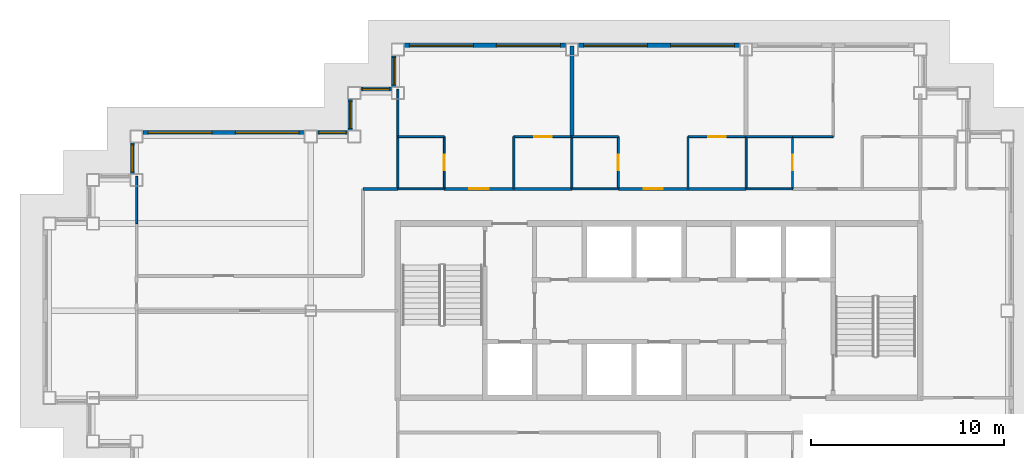
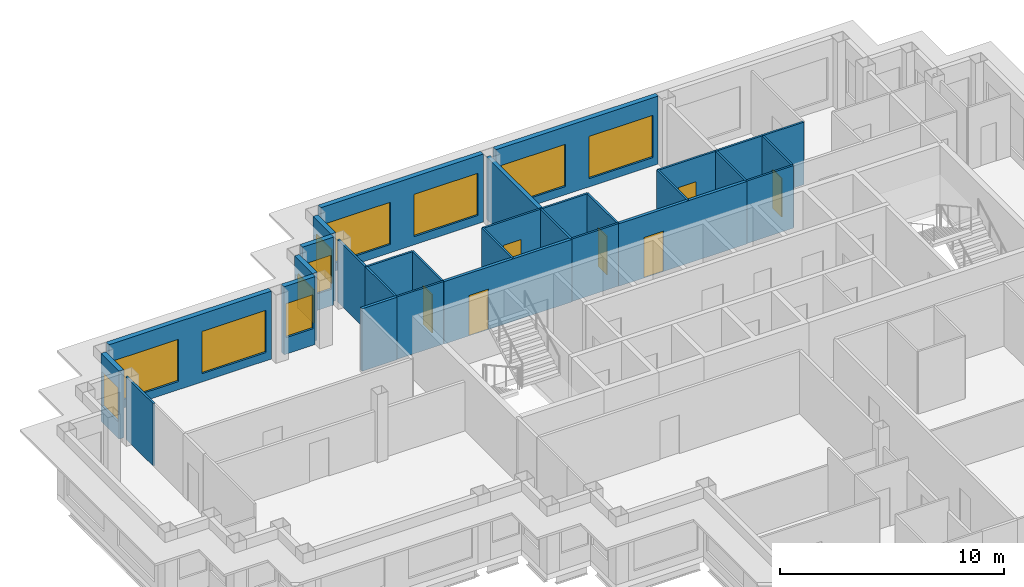
# One storey, part 6 of 11: 31 walls, 11 windows, 7 doors, 18 openings.
"""IFC4 building model written with IfcOpenShell, lengths in metres."""

from ifc_helpers import new_model, si_unit, direction, frame, frame_2d, origin, place, context, subcontext, project, spatial, rectangle, extrude, material, layer, layer_set, type_object, element, fill, save


model = new_model("IFC4")

# Units and contexts
model_context = context("Model", 3, precision=1e-05, world=origin(), true_north=direction((0.0, 1.0)))
body_context = subcontext(model_context, "Body", "Model", "MODEL_VIEW")
ifc_project = project(units=[si_unit("LENGTHUNIT", "METRE"), si_unit("AREAUNIT", "SQUARE_METRE"), si_unit("VOLUMEUNIT", "CUBIC_METRE"), si_unit("PLANEANGLEUNIT", "RADIAN"), si_unit("MASSUNIT", "GRAM", prefix="KILO")], contexts=[model_context])

# Site, building, storey
site_placement = place(None, origin())
site = spatial("IfcSite", under=ifc_project, at=site_placement, CompositionType="ELEMENT")
building_placement = place(site_placement, origin())
building = spatial("IfcBuilding", under=site, at=building_placement, Name="Caravel Reach Hotel and Residences", CompositionType="ELEMENT")
storey_placement = place(building_placement, frame((0.0, 0.0, 225.699951171875)))
storey = spatial("IfcBuildingStorey", under=building, at=storey_placement, Name="L57", CompositionType="ELEMENT", Elevation=225.699951171875)

# Walls
ifc_material_1 = material(Name="Gypsum board on steel stud", Category="steel")
ifc_layer_1 = layer(ifc_material_1, 0.10009765625)
ifc_layer_set_1 = layer_set([ifc_layer_1], Name="Bathroom pod wall 100 mm")
wall_type_1 = type_object("IfcWallType", Name="Bathroom pod wall 100 mm", PredefinedType="PARTITIONING", material=ifc_layer_set_1)
for number, where, z_axis, x_axis, name in (
    (1, (18.0, 33.300048828125, 0.0), (0.0, 0.0, 1.0), (1.0, 0.0, 0.0), "L57 wall w066"),
    (2, (27.0, 33.300048828125, 0.0), (0.0, 0.0, 1.0), (1.0, 0.0, 0.0), "L57 wall w067"),
    (3, (36.0, 33.300048828125, 0.0), (0.0, 0.0, 1.0), (1.0, 0.0, 0.0), "L57 wall w068"),
    (4, (18.0, 36.0, 0.0), (0.0, 0.0, 1.0), (1.0, 0.0, 0.0), "L57 wall w070"),
    (5, (27.0, 36.0, 0.0), (0.0, 0.0, 1.0), (1.0, 0.0, 0.0), "L57 wall w071"),
    (6, (36.0, 36.0, 0.0), (0.0, 0.0, 1.0), (1.0, 0.0, 0.0), "L57 wall w072"),
):
    element("IfcWall", number, at=place(storey_placement, frame(where, z_axis=z_axis, x_axis=x_axis)), inside=storey, type_object=wall_type_1, Name=name, PredefinedType="PARTITIONING", context=body_context, shape_type="SweptSolid", body=[
        extrude(rectangle(XDim=2.39990234375, YDim=0.10009765625, at=frame_2d((1.199951171875, 0.0))), origin(), (0.0, 0.0, 1.0), 3.400146484375),
    ])
wall_1_placement = place(storey_placement, frame((18.0, 33.301025390625, 0.0), z_axis=(0.0, 0.0, 1.0), x_axis=(0.0, 1.0, 0.0)))
element("IfcWall", 7, at=wall_1_placement, inside=storey, type_object=wall_type_1, Name="L57 wall w073", PredefinedType="PARTITIONING", context=body_context, shape_type="SweptSolid", body=[
    extrude(rectangle(XDim=2.698974609375, YDim=0.10009765625, at=frame_2d((1.349609375, 0.0))), origin(), (0.0, 0.0, 1.0), 3.400146484375),
])

# Wall, opening, door
wall_2_placement = place(storey_placement, frame((20.39990234375, 33.300048828125, 0.0), z_axis=(0.0, 0.0, 1.0), x_axis=(0.0, 1.0, 0.0)))
wall_2 = element("IfcWall", 8, at=wall_2_placement, inside=storey, type_object=wall_type_1, Name="L57 wall w074", PredefinedType="PARTITIONING", context=body_context, shape_type="SweptSolid", body=[
    extrude(rectangle(XDim=2.699951171875, YDim=0.10009765625, at=frame_2d((1.35009765625, 0.0))), origin(), (0.0, 0.0, 1.0), 3.400146484375),
])
opening_1_placement = place(wall_2_placement, frame((0.949951171875, 0.0, 0.0)))
opening_1 = element("IfcOpeningElement", 9, at=opening_1_placement, cuts=wall_2, Name="Opening D57-018", PredefinedType="OPENING", context=body_context, shape_type="SweptSolid", body=[
    extrude(rectangle(XDim=0.800048828125, YDim=2.10009765625, at=frame_2d((0.39990234375, 1.050048828125))), frame((0.0, 0.06005859375, 0.0), z_axis=(0.0, -1.0, 0.0), x_axis=(1.0, 0.0, 0.0)), (0.0, 0.0, 1.0), 0.1201171875),
])
ifc_material_2 = material(Name="Timber and steel door leaf", Category="steel")
door_type_1 = type_object("IfcDoorType", Name="Bathroom door 800 x 2100", OperationType="SINGLE_SWING_LEFT", PredefinedType="DOOR", material=ifc_material_2)
door_1_placement = place(opening_1_placement, origin())
door_1 = element("IfcDoor", 10, at=door_1_placement, inside=storey, type_object=door_type_1, Name="door D57-018", OperationType="SINGLE_SWING_RIGHT", OverallHeight=2.10009765625, OverallWidth=0.800048828125, PredefinedType="DOOR", context=body_context, shape_type="SweptSolid", body=[
    extrude(rectangle(XDim=0.800048828125, YDim=2.10009765625, at=frame_2d((0.39990234375, 1.050048828125))), frame((0.0, 0.02490234375, 0.0), z_axis=(0.0, -1.0, 0.0), x_axis=(1.0, 0.0, 0.0)), (0.0, 0.0, 1.0), 0.050048828125),
])
fill(opening_1, door_1)

# Wall
wall_3_placement = place(storey_placement, frame((27.0, 33.300048828125, 0.0), z_axis=(0.0, 0.0, 1.0), x_axis=(0.0, 1.0, 0.0)))
element("IfcWall", 11, at=wall_3_placement, inside=storey, type_object=wall_type_1, Name="L57 wall w075", PredefinedType="PARTITIONING", context=body_context, shape_type="SweptSolid", body=[
    extrude(rectangle(XDim=2.699951171875, YDim=0.10009765625, at=frame_2d((1.35009765625, 0.0))), origin(), (0.0, 0.0, 1.0), 3.400146484375),
])

# Wall, opening, door
wall_4_placement = place(storey_placement, frame((29.39990234375, 33.300048828125, 0.0), z_axis=(0.0, 0.0, 1.0), x_axis=(0.0, 1.0, 0.0)))
wall_4 = element("IfcWall", 12, at=wall_4_placement, inside=storey, type_object=wall_type_1, Name="L57 wall w077", PredefinedType="PARTITIONING", context=body_context, shape_type="SweptSolid", body=[
    extrude(rectangle(XDim=2.699951171875, YDim=0.10009765625, at=frame_2d((1.35009765625, 0.0))), origin(), (0.0, 0.0, 1.0), 3.400146484375),
])
opening_2_placement = place(wall_4_placement, frame((0.949951171875, 0.0, 0.0)))
opening_2 = element("IfcOpeningElement", 13, at=opening_2_placement, cuts=wall_4, Name="Opening D57-021", PredefinedType="OPENING", context=body_context, shape_type="SweptSolid", body=[
    extrude(rectangle(XDim=0.800048828125, YDim=2.10009765625, at=frame_2d((0.39990234375, 1.050048828125))), frame((0.0, 0.06005859375, 0.0), z_axis=(0.0, -1.0, 0.0), x_axis=(1.0, 0.0, 0.0)), (0.0, 0.0, 1.0), 0.1201171875),
])
door_2_placement = place(opening_2_placement, origin())
door_2 = element("IfcDoor", 14, at=door_2_placement, inside=storey, type_object=door_type_1, Name="door D57-021", OperationType="SINGLE_SWING_LEFT", OverallHeight=2.10009765625, OverallWidth=0.800048828125, PredefinedType="DOOR", context=body_context, shape_type="SweptSolid", body=[
    extrude(rectangle(XDim=0.800048828125, YDim=2.10009765625, at=frame_2d((0.39990234375, 1.050048828125))), frame((0.0, 0.02490234375, 0.0), z_axis=(0.0, -1.0, 0.0), x_axis=(1.0, 0.0, 0.0)), (0.0, 0.0, 1.0), 0.050048828125),
])
fill(opening_2, door_2)

# Wall
wall_5_placement = place(storey_placement, frame((36.0, 33.300048828125, 0.0), z_axis=(0.0, 0.0, 1.0), x_axis=(0.0, 1.0, 0.0)))
element("IfcWall", 15, at=wall_5_placement, inside=storey, type_object=wall_type_1, Name="L57 wall w079", PredefinedType="PARTITIONING", context=body_context, shape_type="SweptSolid", body=[
    extrude(rectangle(XDim=2.699951171875, YDim=0.10009765625, at=frame_2d((1.35009765625, 0.0))), origin(), (0.0, 0.0, 1.0), 3.400146484375),
])

# Wall, opening, door
wall_6_placement = place(storey_placement, frame((38.39990234375, 33.300048828125, 0.0), z_axis=(0.0, 0.0, 1.0), x_axis=(0.0, 1.0, 0.0)))
wall_6 = element("IfcWall", 16, at=wall_6_placement, inside=storey, type_object=wall_type_1, Name="L57 wall w081", PredefinedType="PARTITIONING", context=body_context, shape_type="SweptSolid", body=[
    extrude(rectangle(XDim=2.699951171875, YDim=0.10009765625, at=frame_2d((1.35009765625, 0.0))), origin(), (0.0, 0.0, 1.0), 3.400146484375),
])
opening_3_placement = place(wall_6_placement, frame((0.949951171875, 0.0, 0.0)))
opening_3 = element("IfcOpeningElement", 17, at=opening_3_placement, cuts=wall_6, Name="Opening D57-024", PredefinedType="OPENING", context=body_context, shape_type="SweptSolid", body=[
    extrude(rectangle(XDim=0.800048828125, YDim=2.10009765625, at=frame_2d((0.39990234375, 1.050048828125))), frame((0.0, 0.06005859375, 0.0), z_axis=(0.0, -1.0, 0.0), x_axis=(1.0, 0.0, 0.0)), (0.0, 0.0, 1.0), 0.1201171875),
])
door_3_placement = place(opening_3_placement, origin())
door_3 = element("IfcDoor", 18, at=door_3_placement, inside=storey, type_object=door_type_1, Name="door D57-024", OperationType="SINGLE_SWING_LEFT", OverallHeight=2.10009765625, OverallWidth=0.800048828125, PredefinedType="DOOR", context=body_context, shape_type="SweptSolid", body=[
    extrude(rectangle(XDim=0.800048828125, YDim=2.10009765625, at=frame_2d((0.39990234375, 1.050048828125))), frame((0.0, 0.02490234375, 0.0), z_axis=(0.0, -1.0, 0.0), x_axis=(1.0, 0.0, 0.0)), (0.0, 0.0, 1.0), 0.050048828125),
])
fill(opening_3, door_3)

ifc_material_3 = material(Name="Gypsum board on steel stud, fire-rated", Category="steel")
ifc_layer_2 = layer(ifc_material_3, 0.14990234375)
ifc_layer_set_2 = layer_set([ifc_layer_2], Name="Corridor wall 150 mm EI 60")
wall_type_2 = type_object("IfcWallType", Name="Corridor wall 150 mm EI 60", PredefinedType="PARTITIONING", material=ifc_layer_set_2)
wall_7_placement = place(storey_placement, frame((20.39990234375, 33.300048828125, 0.0), z_axis=(0.0, 0.0, 1.0), x_axis=(1.0, 0.0, 0.0)))
wall_7 = element("IfcWall", 19, at=wall_7_placement, inside=storey, type_object=wall_type_2, Name="L57 wall w010", PredefinedType="PARTITIONING", context=body_context, shape_type="SweptSolid", body=[
    extrude(rectangle(XDim=6.60009765625, YDim=0.14990234375, at=frame_2d((3.300048828125, 0.0))), origin(), (0.0, 0.0, 1.0), 3.400146484375),
])
opening_4_placement = place(wall_7_placement, frame((1.300048828125, 0.0, 0.0)))
opening_4 = element("IfcOpeningElement", 20, at=opening_4_placement, cuts=wall_7, Name="Opening D57-017", PredefinedType="OPENING", context=body_context, shape_type="SweptSolid", body=[
    extrude(rectangle(XDim=1.0, YDim=2.199951171875, at=frame_2d((0.5, 1.10009765625))), frame((0.0, 0.0849609375, 0.0), z_axis=(0.0, -1.0, 0.0), x_axis=(1.0, 0.0, 0.0)), (0.0, 0.0, 1.0), 0.169921875),
])
ifc_material_4 = material(Name="Steel fire door leaf", Category="steel")
door_type_2 = type_object("IfcDoorType", Name="Flat entrance door 1000 x 2200 EI 60", OperationType="SINGLE_SWING_LEFT", PredefinedType="DOOR", material=ifc_material_4)
door_4_placement = place(opening_4_placement, origin())
door_4 = element("IfcDoor", 21, at=door_4_placement, inside=storey, type_object=door_type_2, Name="door D57-017", OperationType="SINGLE_SWING_RIGHT", OverallHeight=2.199951171875, OverallWidth=1.0, PredefinedType="DOOR", context=body_context, shape_type="SweptSolid", body=[
    extrude(rectangle(XDim=1.0, YDim=2.199951171875, at=frame_2d((0.5, 1.10009765625))), frame((0.0, 0.02490234375, 0.0), z_axis=(0.0, -1.0, 0.0), x_axis=(1.0, 0.0, 0.0)), (0.0, 0.0, 1.0), 0.050048828125),
])
fill(opening_4, door_4)

wall_8_placement = place(storey_placement, frame((29.39990234375, 33.300048828125, 0.0), z_axis=(0.0, 0.0, 1.0), x_axis=(1.0, 0.0, 0.0)))
wall_8 = element("IfcWall", 22, at=wall_8_placement, inside=storey, type_object=wall_type_2, Name="L57 wall w012", PredefinedType="PARTITIONING", context=body_context, shape_type="SweptSolid", body=[
    extrude(rectangle(XDim=6.60009765625, YDim=0.14990234375, at=frame_2d((3.300048828125, 0.0))), origin(), (0.0, 0.0, 1.0), 3.400146484375),
])
opening_5_placement = place(wall_8_placement, frame((1.300048828125, 0.0, 0.0)))
opening_5 = element("IfcOpeningElement", 23, at=opening_5_placement, cuts=wall_8, Name="Opening D57-020", PredefinedType="OPENING", context=body_context, shape_type="SweptSolid", body=[
    extrude(rectangle(XDim=1.0, YDim=2.199951171875, at=frame_2d((0.5, 1.10009765625))), frame((0.0, 0.0849609375, 0.0), z_axis=(0.0, -1.0, 0.0), x_axis=(1.0, 0.0, 0.0)), (0.0, 0.0, 1.0), 0.169921875),
])
door_5_placement = place(opening_5_placement, origin())
door_5 = element("IfcDoor", 24, at=door_5_placement, inside=storey, type_object=door_type_2, Name="door D57-020", OperationType="SINGLE_SWING_RIGHT", OverallHeight=2.199951171875, OverallWidth=1.0, PredefinedType="DOOR", context=body_context, shape_type="SweptSolid", body=[
    extrude(rectangle(XDim=1.0, YDim=2.199951171875, at=frame_2d((0.5, 1.10009765625))), frame((0.0, 0.02490234375, 0.0), z_axis=(0.0, -1.0, 0.0), x_axis=(1.0, 0.0, 0.0)), (0.0, 0.0, 1.0), 0.050048828125),
])
fill(opening_5, door_5)

# Wall
wall_9_placement = place(storey_placement, frame((16.199951171875, 33.300048828125, 0.0), z_axis=(0.0, 0.0, 1.0), x_axis=(1.0, 0.0, 0.0)))
element("IfcWall", 25, at=wall_9_placement, inside=storey, type_object=wall_type_2, Name="L57 wall w016", PredefinedType="PARTITIONING", context=body_context, shape_type="SweptSolid", body=[
    extrude(rectangle(XDim=1.799072265625, YDim=0.14990234375, at=frame_2d((0.8994140625, 0.0))), origin(), (0.0, 0.0, 1.0), 3.400146484375),
])

# Wall, openings, windows
ifc_material_5 = material(Name="Insulated rainscreen wall, aluminium cladding", Category="aluminium")
ifc_layer_3 = layer(ifc_material_5, 0.25)
ifc_layer_set_3 = layer_set([ifc_layer_3], Name="EW1 Tower rainscreen wall")
wall_type_3 = type_object("IfcWallType", Name="EW1 Tower rainscreen wall", PredefinedType="SOLIDWALL", material=ifc_layer_set_3)
wall_10_placement = place(storey_placement, frame((35.675048828125, 40.699951171875, 0.0), z_axis=(0.0, 0.0, 1.0), x_axis=(-1.0, 0.0, 0.0)))
wall_10 = element("IfcWall", 26, at=wall_10_placement, inside=storey, type_object=wall_type_3, Name="External wall L57 N11.2", PredefinedType="SOLIDWALL", context=body_context, shape_type="SweptSolid", body=[
    extrude(rectangle(XDim=8.35009765625, YDim=0.25, at=frame_2d((4.175048828125, 0.0))), origin(), (0.0, 0.0, 1.0), 3.699951171875),
])
opening_6_placement = place(wall_10_placement, frame((0.27490234375, 0.0, 0.449951171875)))
opening_6 = element("IfcOpeningElement", 27, at=opening_6_placement, cuts=wall_10, Name="Opening WN15", PredefinedType="OPENING", context=body_context, shape_type="SweptSolid", body=[
    extrude(rectangle(XDim=3.300048828125, YDim=2.300048828125, at=frame_2d((1.64990234375, 1.14990234375))), frame((0.0, 0.135009765625, 0.0), z_axis=(0.0, -1.0, 0.0), x_axis=(1.0, 0.0, 0.0)), (0.0, 0.0, 1.0), 0.27001953125),
])
opening_7_placement = place(wall_10_placement, frame((4.77490234375, 0.0, 0.449951171875)))
opening_7 = element("IfcOpeningElement", 28, at=opening_7_placement, cuts=wall_10, Name="Opening WN15", PredefinedType="OPENING", context=body_context, shape_type="SweptSolid", body=[
    extrude(rectangle(XDim=3.300048828125, YDim=2.300048828125, at=frame_2d((1.64990234375, 1.14990234375))), frame((0.0, 0.135009765625, 0.0), z_axis=(0.0, -1.0, 0.0), x_axis=(1.0, 0.0, 0.0)), (0.0, 0.0, 1.0), 0.27001953125),
])
ifc_material_6 = material(Name="Dark low-e glazing in black aluminium frame", Category="aluminium")
window_type_1 = type_object("IfcWindowType", Name="Residence living window 3300 x 2300", PartitioningType="SINGLE_PANEL", PredefinedType="WINDOW", material=ifc_material_6)
window_1_placement = place(opening_6_placement, origin())
window_1 = element("IfcWindow", 29, at=window_1_placement, inside=storey, type_object=window_type_1, Name="Window L57 N11.2.1", OverallHeight=2.300048828125, OverallWidth=3.300048828125, PartitioningType="SINGLE_PANEL", PredefinedType="WINDOW", context=body_context, shape_type="SweptSolid", body=[
    extrude(rectangle(XDim=3.300048828125, YDim=2.300048828125, at=frame_2d((1.64990234375, 1.14990234375))), frame((0.0, 0.030029296875, 0.0), z_axis=(0.0, -1.0, 0.0), x_axis=(1.0, 0.0, 0.0)), (0.0, 0.0, 1.0), 0.06005859375),
])
fill(opening_6, window_1)
window_2_placement = place(opening_7_placement, origin())
window_2 = element("IfcWindow", 30, at=window_2_placement, inside=storey, type_object=window_type_1, Name="Window L57 N11.2.2", OverallHeight=2.300048828125, OverallWidth=3.300048828125, PartitioningType="SINGLE_PANEL", PredefinedType="WINDOW", context=body_context, shape_type="SweptSolid", body=[
    extrude(rectangle(XDim=3.300048828125, YDim=2.300048828125, at=frame_2d((1.64990234375, 1.14990234375))), frame((0.0, 0.030029296875, 0.0), z_axis=(0.0, -1.0, 0.0), x_axis=(1.0, 0.0, 0.0)), (0.0, 0.0, 1.0), 0.06005859375),
])
fill(opening_7, window_2)

wall_11_placement = place(storey_placement, frame((26.675048828125, 40.699951171875, 0.0), z_axis=(0.0, 0.0, 1.0), x_axis=(-1.0, 0.0, 0.0)))
wall_11 = element("IfcWall", 31, at=wall_11_placement, inside=storey, type_object=wall_type_3, Name="External wall L57 N11.3", PredefinedType="SOLIDWALL", context=body_context, shape_type="SweptSolid", body=[
    extrude(rectangle(XDim=8.35009765625, YDim=0.25, at=frame_2d((4.175048828125, 0.0))), origin(), (0.0, 0.0, 1.0), 3.699951171875),
])
opening_8_placement = place(wall_11_placement, frame((0.27490234375, 0.0, 0.449951171875)))
opening_8 = element("IfcOpeningElement", 32, at=opening_8_placement, cuts=wall_11, Name="Opening WN15", PredefinedType="OPENING", context=body_context, shape_type="SweptSolid", body=[
    extrude(rectangle(XDim=3.300048828125, YDim=2.300048828125, at=frame_2d((1.64990234375, 1.14990234375))), frame((0.0, 0.135009765625, 0.0), z_axis=(0.0, -1.0, 0.0), x_axis=(1.0, 0.0, 0.0)), (0.0, 0.0, 1.0), 0.27001953125),
])
opening_9_placement = place(wall_11_placement, frame((4.77490234375, 0.0, 0.449951171875)))
opening_9 = element("IfcOpeningElement", 33, at=opening_9_placement, cuts=wall_11, Name="Opening WN15", PredefinedType="OPENING", context=body_context, shape_type="SweptSolid", body=[
    extrude(rectangle(XDim=3.300048828125, YDim=2.300048828125, at=frame_2d((1.64990234375, 1.14990234375))), frame((0.0, 0.135009765625, 0.0), z_axis=(0.0, -1.0, 0.0), x_axis=(1.0, 0.0, 0.0)), (0.0, 0.0, 1.0), 0.27001953125),
])
window_3_placement = place(opening_8_placement, origin())
window_3 = element("IfcWindow", 34, at=window_3_placement, inside=storey, type_object=window_type_1, Name="Window L57 N11.3.1", OverallHeight=2.300048828125, OverallWidth=3.300048828125, PartitioningType="SINGLE_PANEL", PredefinedType="WINDOW", context=body_context, shape_type="SweptSolid", body=[
    extrude(rectangle(XDim=3.300048828125, YDim=2.300048828125, at=frame_2d((1.64990234375, 1.14990234375))), frame((0.0, 0.030029296875, 0.0), z_axis=(0.0, -1.0, 0.0), x_axis=(1.0, 0.0, 0.0)), (0.0, 0.0, 1.0), 0.06005859375),
])
fill(opening_8, window_3)
window_4_placement = place(opening_9_placement, origin())
window_4 = element("IfcWindow", 35, at=window_4_placement, inside=storey, type_object=window_type_1, Name="Window L57 N11.3.2", OverallHeight=2.300048828125, OverallWidth=3.300048828125, PartitioningType="SINGLE_PANEL", PredefinedType="WINDOW", context=body_context, shape_type="SweptSolid", body=[
    extrude(rectangle(XDim=3.300048828125, YDim=2.300048828125, at=frame_2d((1.64990234375, 1.14990234375))), frame((0.0, 0.030029296875, 0.0), z_axis=(0.0, -1.0, 0.0), x_axis=(1.0, 0.0, 0.0)), (0.0, 0.0, 1.0), 0.06005859375),
])
fill(opening_9, window_4)

# Wall, opening, window
wall_12_placement = place(storey_placement, frame((17.800048828125, 40.175048828125, 0.0), z_axis=(0.0, 0.0, 1.0), x_axis=(0.0, -1.0, 0.0)))
wall_12 = element("IfcWall", 36, at=wall_12_placement, inside=storey, type_object=wall_type_3, Name="External wall L57 W12.1", PredefinedType="SOLIDWALL", context=body_context, shape_type="SweptSolid", body=[
    extrude(rectangle(XDim=1.60009765625, YDim=0.25, at=frame_2d((0.800048828125, 0.0))), origin(), (0.0, 0.0, 1.0), 3.699951171875),
])
opening_10_placement = place(wall_12_placement, frame((0.10009765625, 0.0, 0.89990234375)))
opening_10 = element("IfcOpeningElement", 37, at=opening_10_placement, cuts=wall_12, Name="Opening WN22", PredefinedType="OPENING", context=body_context, shape_type="SweptSolid", body=[
    extrude(rectangle(XDim=1.39990234375, YDim=1.85009765625, at=frame_2d((0.699951171875, 0.925048828125))), frame((0.0, 0.135009765625, 0.0), z_axis=(0.0, -1.0, 0.0), x_axis=(1.0, 0.0, 0.0)), (0.0, 0.0, 1.0), 0.27001953125),
])
ifc_material_7 = material(Name="Dark low-e glazing in black aluminium frame", Category="aluminium")
window_type_2 = type_object("IfcWindowType", Name="Residence bedroom window 1400 x 1850", PartitioningType="SINGLE_PANEL", PredefinedType="WINDOW", material=ifc_material_7)
window_5_placement = place(opening_10_placement, origin())
window_5 = element("IfcWindow", 38, at=window_5_placement, inside=storey, type_object=window_type_2, Name="Window L57 W12.1.1", OverallHeight=1.85009765625, OverallWidth=1.39990234375, PartitioningType="SINGLE_PANEL", PredefinedType="WINDOW", context=body_context, shape_type="SweptSolid", body=[
    extrude(rectangle(XDim=1.39990234375, YDim=1.85009765625, at=frame_2d((0.699951171875, 0.925048828125))), frame((0.0, 0.030029296875, 0.0), z_axis=(0.0, -1.0, 0.0), x_axis=(1.0, 0.0, 0.0)), (0.0, 0.0, 1.0), 0.06005859375),
])
fill(opening_10, window_5)

wall_13_placement = place(storey_placement, frame((17.675048828125, 38.449951171875, 0.0), z_axis=(0.0, 0.0, 1.0), x_axis=(-1.0, 0.0, 0.0)))
wall_13 = element("IfcWall", 39, at=wall_13_placement, inside=storey, type_object=wall_type_3, Name="External wall L57 N13.1", PredefinedType="SOLIDWALL", context=body_context, shape_type="SweptSolid", body=[
    extrude(rectangle(XDim=1.60009765625, YDim=0.25, at=frame_2d((0.800048828125, 0.0))), origin(), (0.0, 0.0, 1.0), 3.699951171875),
])
opening_11_placement = place(wall_13_placement, frame((0.10009765625, 0.0, 0.89990234375)))
opening_11 = element("IfcOpeningElement", 40, at=opening_11_placement, cuts=wall_13, Name="Opening WN22", PredefinedType="OPENING", context=body_context, shape_type="SweptSolid", body=[
    extrude(rectangle(XDim=1.39990234375, YDim=1.85009765625, at=frame_2d((0.699951171875, 0.925048828125))), frame((0.0, 0.135009765625, 0.0), z_axis=(0.0, -1.0, 0.0), x_axis=(1.0, 0.0, 0.0)), (0.0, 0.0, 1.0), 0.27001953125),
])
window_6_placement = place(opening_11_placement, origin())
window_6 = element("IfcWindow", 41, at=window_6_placement, inside=storey, type_object=window_type_2, Name="Window L57 N13.1.1", OverallHeight=1.85009765625, OverallWidth=1.39990234375, PartitioningType="SINGLE_PANEL", PredefinedType="WINDOW", context=body_context, shape_type="SweptSolid", body=[
    extrude(rectangle(XDim=1.39990234375, YDim=1.85009765625, at=frame_2d((0.699951171875, 0.925048828125))), frame((0.0, 0.030029296875, 0.0), z_axis=(0.0, -1.0, 0.0), x_axis=(1.0, 0.0, 0.0)), (0.0, 0.0, 1.0), 0.06005859375),
])
fill(opening_11, window_6)

wall_14_placement = place(storey_placement, frame((15.550048828125, 37.925048828125, 0.0), z_axis=(0.0, 0.0, 1.0), x_axis=(0.0, -1.0, 0.0)))
wall_14 = element("IfcWall", 42, at=wall_14_placement, inside=storey, type_object=wall_type_3, Name="External wall L57 W14.1", PredefinedType="SOLIDWALL", context=body_context, shape_type="SweptSolid", body=[
    extrude(rectangle(XDim=1.60009765625, YDim=0.25, at=frame_2d((0.800048828125, 0.0))), origin(), (0.0, 0.0, 1.0), 3.699951171875),
])
opening_12_placement = place(wall_14_placement, frame((0.10009765625, 0.0, 0.89990234375)))
opening_12 = element("IfcOpeningElement", 43, at=opening_12_placement, cuts=wall_14, Name="Opening WN22", PredefinedType="OPENING", context=body_context, shape_type="SweptSolid", body=[
    extrude(rectangle(XDim=1.39990234375, YDim=1.85009765625, at=frame_2d((0.699951171875, 0.925048828125))), frame((0.0, 0.135009765625, 0.0), z_axis=(0.0, -1.0, 0.0), x_axis=(1.0, 0.0, 0.0)), (0.0, 0.0, 1.0), 0.27001953125),
])
window_7_placement = place(opening_12_placement, origin())
window_7 = element("IfcWindow", 44, at=window_7_placement, inside=storey, type_object=window_type_2, Name="Window L57 W14.1.1", OverallHeight=1.85009765625, OverallWidth=1.39990234375, PartitioningType="SINGLE_PANEL", PredefinedType="WINDOW", context=body_context, shape_type="SweptSolid", body=[
    extrude(rectangle(XDim=1.39990234375, YDim=1.85009765625, at=frame_2d((0.699951171875, 0.925048828125))), frame((0.0, 0.030029296875, 0.0), z_axis=(0.0, -1.0, 0.0), x_axis=(1.0, 0.0, 0.0)), (0.0, 0.0, 1.0), 0.06005859375),
])
fill(opening_12, window_7)

wall_15_placement = place(storey_placement, frame((15.425048828125, 36.199951171875, 0.0), z_axis=(0.0, 0.0, 1.0), x_axis=(-1.0, 0.0, 0.0)))
wall_15 = element("IfcWall", 45, at=wall_15_placement, inside=storey, type_object=wall_type_3, Name="External wall L57 N15.1", PredefinedType="SOLIDWALL", context=body_context, shape_type="SweptSolid", body=[
    extrude(rectangle(XDim=1.60009765625, YDim=0.25, at=frame_2d((0.800048828125, 0.0))), origin(), (0.0, 0.0, 1.0), 3.699951171875),
])
opening_13_placement = place(wall_15_placement, frame((0.10009765625, 0.0, 0.89990234375)))
opening_13 = element("IfcOpeningElement", 46, at=opening_13_placement, cuts=wall_15, Name="Opening WN22", PredefinedType="OPENING", context=body_context, shape_type="SweptSolid", body=[
    extrude(rectangle(XDim=1.39990234375, YDim=1.85009765625, at=frame_2d((0.699951171875, 0.925048828125))), frame((0.0, 0.135009765625, 0.0), z_axis=(0.0, -1.0, 0.0), x_axis=(1.0, 0.0, 0.0)), (0.0, 0.0, 1.0), 0.27001953125),
])
window_8_placement = place(opening_13_placement, origin())
window_8 = element("IfcWindow", 47, at=window_8_placement, inside=storey, type_object=window_type_2, Name="Window L57 N15.1.1", OverallHeight=1.85009765625, OverallWidth=1.39990234375, PartitioningType="SINGLE_PANEL", PredefinedType="WINDOW", context=body_context, shape_type="SweptSolid", body=[
    extrude(rectangle(XDim=1.39990234375, YDim=1.85009765625, at=frame_2d((0.699951171875, 0.925048828125))), frame((0.0, 0.030029296875, 0.0), z_axis=(0.0, -1.0, 0.0), x_axis=(1.0, 0.0, 0.0)), (0.0, 0.0, 1.0), 0.06005859375),
])
fill(opening_13, window_8)

# Wall, openings, windows
wall_16_placement = place(storey_placement, frame((13.175048828125, 36.199951171875, 0.0), z_axis=(0.0, 0.0, 1.0), x_axis=(-1.0, 0.0, 0.0)))
wall_16 = element("IfcWall", 48, at=wall_16_placement, inside=storey, type_object=wall_type_3, Name="External wall L57 N15.2", PredefinedType="SOLIDWALL", context=body_context, shape_type="SweptSolid", body=[
    extrude(rectangle(XDim=8.35009765625, YDim=0.25, at=frame_2d((4.175048828125, 0.0))), origin(), (0.0, 0.0, 1.0), 3.699951171875),
])
opening_14_placement = place(wall_16_placement, frame((0.27490234375, 0.0, 0.449951171875)))
opening_14 = element("IfcOpeningElement", 49, at=opening_14_placement, cuts=wall_16, Name="Opening WN15", PredefinedType="OPENING", context=body_context, shape_type="SweptSolid", body=[
    extrude(rectangle(XDim=3.300048828125, YDim=2.300048828125, at=frame_2d((1.64990234375, 1.14990234375))), frame((0.0, 0.135009765625, 0.0), z_axis=(0.0, -1.0, 0.0), x_axis=(1.0, 0.0, 0.0)), (0.0, 0.0, 1.0), 0.27001953125),
])
opening_15_placement = place(wall_16_placement, frame((4.77490234375, 0.0, 0.449951171875)))
opening_15 = element("IfcOpeningElement", 50, at=opening_15_placement, cuts=wall_16, Name="Opening WN15", PredefinedType="OPENING", context=body_context, shape_type="SweptSolid", body=[
    extrude(rectangle(XDim=3.300048828125, YDim=2.300048828125, at=frame_2d((1.64990234375, 1.14990234375))), frame((0.0, 0.135009765625, 0.0), z_axis=(0.0, -1.0, 0.0), x_axis=(1.0, 0.0, 0.0)), (0.0, 0.0, 1.0), 0.27001953125),
])
window_9_placement = place(opening_14_placement, origin())
window_9 = element("IfcWindow", 51, at=window_9_placement, inside=storey, type_object=window_type_1, Name="Window L57 N15.2.1", OverallHeight=2.300048828125, OverallWidth=3.300048828125, PartitioningType="SINGLE_PANEL", PredefinedType="WINDOW", context=body_context, shape_type="SweptSolid", body=[
    extrude(rectangle(XDim=3.300048828125, YDim=2.300048828125, at=frame_2d((1.64990234375, 1.14990234375))), frame((0.0, 0.030029296875, 0.0), z_axis=(0.0, -1.0, 0.0), x_axis=(1.0, 0.0, 0.0)), (0.0, 0.0, 1.0), 0.06005859375),
])
fill(opening_14, window_9)
window_10_placement = place(opening_15_placement, origin())
window_10 = element("IfcWindow", 52, at=window_10_placement, inside=storey, type_object=window_type_1, Name="Window L57 N15.2.2", OverallHeight=2.300048828125, OverallWidth=3.300048828125, PartitioningType="SINGLE_PANEL", PredefinedType="WINDOW", context=body_context, shape_type="SweptSolid", body=[
    extrude(rectangle(XDim=3.300048828125, YDim=2.300048828125, at=frame_2d((1.64990234375, 1.14990234375))), frame((0.0, 0.030029296875, 0.0), z_axis=(0.0, -1.0, 0.0), x_axis=(1.0, 0.0, 0.0)), (0.0, 0.0, 1.0), 0.06005859375),
])
fill(opening_15, window_10)

# Wall, opening, window
wall_17_placement = place(storey_placement, frame((4.300048828125, 35.675048828125, 0.0), z_axis=(0.0, 0.0, 1.0), x_axis=(0.0, -1.0, 0.0)))
wall_17 = element("IfcWall", 53, at=wall_17_placement, inside=storey, type_object=wall_type_3, Name="External wall L57 W16.1", PredefinedType="SOLIDWALL", context=body_context, shape_type="SweptSolid", body=[
    extrude(rectangle(XDim=1.60009765625, YDim=0.25, at=frame_2d((0.800048828125, 0.0))), origin(), (0.0, 0.0, 1.0), 3.699951171875),
])
opening_16_placement = place(wall_17_placement, frame((0.10009765625, 0.0, 0.89990234375)))
opening_16 = element("IfcOpeningElement", 54, at=opening_16_placement, cuts=wall_17, Name="Opening WN22", PredefinedType="OPENING", context=body_context, shape_type="SweptSolid", body=[
    extrude(rectangle(XDim=1.39990234375, YDim=1.85009765625, at=frame_2d((0.699951171875, 0.925048828125))), frame((0.0, 0.135009765625, 0.0), z_axis=(0.0, -1.0, 0.0), x_axis=(1.0, 0.0, 0.0)), (0.0, 0.0, 1.0), 0.27001953125),
])
window_11_placement = place(opening_16_placement, origin())
window_11 = element("IfcWindow", 55, at=window_11_placement, inside=storey, type_object=window_type_2, Name="Window L57 W16.1.1", OverallHeight=1.85009765625, OverallWidth=1.39990234375, PartitioningType="SINGLE_PANEL", PredefinedType="WINDOW", context=body_context, shape_type="SweptSolid", body=[
    extrude(rectangle(XDim=1.39990234375, YDim=1.85009765625, at=frame_2d((0.699951171875, 0.925048828125))), frame((0.0, 0.030029296875, 0.0), z_axis=(0.0, -1.0, 0.0), x_axis=(1.0, 0.0, 0.0)), (0.0, 0.0, 1.0), 0.06005859375),
])
fill(opening_16, window_11)

# Wall, opening, door
ifc_material_8 = material(Name="Gypsum board on steel stud", Category="steel")
ifc_layer_4 = layer(ifc_material_8, 0.10009765625)
ifc_layer_set_4 = layer_set([ifc_layer_4], Name="Partition 100 mm")
wall_type_4 = type_object("IfcWallType", Name="Partition 100 mm", PredefinedType="PARTITIONING", material=ifc_layer_set_4)
wall_18_placement = place(storey_placement, frame((24.0, 36.0, 0.0), z_axis=(0.0, 0.0, 1.0), x_axis=(1.0, 0.0, 0.0)))
wall_18 = element("IfcWall", 56, at=wall_18_placement, inside=storey, type_object=wall_type_4, Name="L57 wall w033", PredefinedType="PARTITIONING", context=body_context, shape_type="SweptSolid", body=[
    extrude(rectangle(XDim=3.0, YDim=0.10009765625, at=frame_2d((1.5, 0.0))), origin(), (0.0, 0.0, 1.0), 3.400146484375),
])
opening_17_placement = place(wall_18_placement, frame((1.050048828125, 0.0, 0.0)))
opening_17 = element("IfcOpeningElement", 57, at=opening_17_placement, cuts=wall_18, Name="Opening D57-019", PredefinedType="OPENING", context=body_context, shape_type="SweptSolid", body=[
    extrude(rectangle(XDim=0.89990234375, YDim=2.10009765625, at=frame_2d((0.449951171875, 1.050048828125))), frame((0.0, 0.06005859375, 0.0), z_axis=(0.0, -1.0, 0.0), x_axis=(1.0, 0.0, 0.0)), (0.0, 0.0, 1.0), 0.1201171875),
])
ifc_material_9 = material(Name="Timber and steel door leaf", Category="steel")
door_type_3 = type_object("IfcDoorType", Name="Door 900 x 2100 timber", OperationType="SINGLE_SWING_LEFT", PredefinedType="DOOR", material=ifc_material_9)
door_6_placement = place(opening_17_placement, origin())
door_6 = element("IfcDoor", 58, at=door_6_placement, inside=storey, type_object=door_type_3, Name="door D57-019", OperationType="SINGLE_SWING_LEFT", OverallHeight=2.10009765625, OverallWidth=0.89990234375, PredefinedType="DOOR", context=body_context, shape_type="SweptSolid", body=[
    extrude(rectangle(XDim=0.89990234375, YDim=2.10009765625, at=frame_2d((0.449951171875, 1.050048828125))), frame((0.0, 0.02490234375, 0.0), z_axis=(0.0, -1.0, 0.0), x_axis=(1.0, 0.0, 0.0)), (0.0, 0.0, 1.0), 0.050048828125),
])
fill(opening_17, door_6)

wall_19_placement = place(storey_placement, frame((33.0, 36.0, 0.0), z_axis=(0.0, 0.0, 1.0), x_axis=(1.0, 0.0, 0.0)))
wall_19 = element("IfcWall", 59, at=wall_19_placement, inside=storey, type_object=wall_type_4, Name="L57 wall w034", PredefinedType="PARTITIONING", context=body_context, shape_type="SweptSolid", body=[
    extrude(rectangle(XDim=3.0, YDim=0.10009765625, at=frame_2d((1.5, 0.0))), origin(), (0.0, 0.0, 1.0), 3.400146484375),
])
opening_18_placement = place(wall_19_placement, frame((1.050048828125, 0.0, 0.0)))
opening_18 = element("IfcOpeningElement", 60, at=opening_18_placement, cuts=wall_19, Name="Opening D57-022", PredefinedType="OPENING", context=body_context, shape_type="SweptSolid", body=[
    extrude(rectangle(XDim=0.89990234375, YDim=2.10009765625, at=frame_2d((0.449951171875, 1.050048828125))), frame((0.0, 0.06005859375, 0.0), z_axis=(0.0, -1.0, 0.0), x_axis=(1.0, 0.0, 0.0)), (0.0, 0.0, 1.0), 0.1201171875),
])
door_7_placement = place(opening_18_placement, origin())
door_7 = element("IfcDoor", 61, at=door_7_placement, inside=storey, type_object=door_type_3, Name="door D57-022", OperationType="SINGLE_SWING_RIGHT", OverallHeight=2.10009765625, OverallWidth=0.89990234375, PredefinedType="DOOR", context=body_context, shape_type="SweptSolid", body=[
    extrude(rectangle(XDim=0.89990234375, YDim=2.10009765625, at=frame_2d((0.449951171875, 1.050048828125))), frame((0.0, 0.02490234375, 0.0), z_axis=(0.0, -1.0, 0.0), x_axis=(1.0, 0.0, 0.0)), (0.0, 0.0, 1.0), 0.050048828125),
])
fill(opening_18, door_7)

# Walls
wall_20_placement = place(storey_placement, frame((38.39990234375, 36.0, 0.0), z_axis=(0.0, 0.0, 1.0), x_axis=(1.0, 0.0, 0.0)))
element("IfcWall", 62, at=wall_20_placement, inside=storey, type_object=wall_type_4, Name="L57 wall w035", PredefinedType="PARTITIONING", context=body_context, shape_type="SweptSolid", body=[
    extrude(rectangle(XDim=2.10009765625, YDim=0.10009765625, at=frame_2d((1.050048828125, 0.0))), origin(), (0.0, 0.0, 1.0), 3.400146484375),
])
wall_21_placement = place(storey_placement, frame((18.0, 36.0, 0.0), z_axis=(0.0, 0.0, 1.0), x_axis=(0.0, 1.0, 0.0)))
element("IfcWall", 63, at=wall_21_placement, inside=storey, type_object=wall_type_4, Name="L57 wall w043", PredefinedType="PARTITIONING", context=body_context, shape_type="SweptSolid", body=[
    extrude(rectangle(XDim=2.43994140625, YDim=0.10009765625, at=frame_2d((1.219970703125, 0.0))), origin(), (0.0, 0.0, 1.0), 3.400146484375),
])
for number, where, z_axis, x_axis, name in (
    (64, (24.0, 33.300048828125, 0.0), (0.0, 0.0, 1.0), (0.0, 1.0, 0.0), "L57 wall w046"),
    (65, (33.0, 33.300048828125, 0.0), (0.0, 0.0, 1.0), (0.0, 1.0, 0.0), "L57 wall w049"),
):
    element("IfcWall", number, at=place(storey_placement, frame(where, z_axis=z_axis, x_axis=x_axis)), inside=storey, type_object=wall_type_4, Name=name, PredefinedType="PARTITIONING", context=body_context, shape_type="SweptSolid", body=[
        extrude(rectangle(XDim=2.699951171875, YDim=0.10009765625, at=frame_2d((1.35009765625, 0.0))), origin(), (0.0, 0.0, 1.0), 3.400146484375),
    ])
wall_22_placement = place(storey_placement, frame((4.5, 31.5009765625, 0.0), z_axis=(0.0, 0.0, 1.0), x_axis=(0.0, 1.0, 0.0)))
element("IfcWall", 66, at=wall_22_placement, inside=storey, type_object=wall_type_4, Name="L57 wall w051", PredefinedType="PARTITIONING", context=body_context, shape_type="SweptSolid", body=[
    extrude(rectangle(XDim=2.43896484375, YDim=0.10009765625, at=frame_2d((1.219482421875, 0.0))), origin(), (0.0, 0.0, 1.0), 3.400146484375),
])
ifc_material_10 = material(Name="Autoclaved aerated block wall")
ifc_layer_5 = layer(ifc_material_10, 0.199951171875)
ifc_layer_set_5 = layer_set([ifc_layer_5], Name="Party wall 200 mm EI 60")
wall_type_5 = type_object("IfcWallType", Name="Party wall 200 mm EI 60", PredefinedType="PARTITIONING", material=ifc_layer_set_5)
wall_23_placement = place(storey_placement, frame((27.0, 36.0, 0.0), z_axis=(0.0, 0.0, 1.0), x_axis=(0.0, 1.0, 0.0)))
element("IfcWall", 67, at=wall_23_placement, inside=storey, type_object=wall_type_5, Name="L57 wall w058", PredefinedType="PARTITIONING", context=body_context, shape_type="SweptSolid", body=[
    extrude(rectangle(XDim=4.68994140625, YDim=0.199951171875, at=frame_2d((2.344970703125, 0.0))), origin(), (0.0, 0.0, 1.0), 3.400146484375),
])

save(model, "model.ifc")
